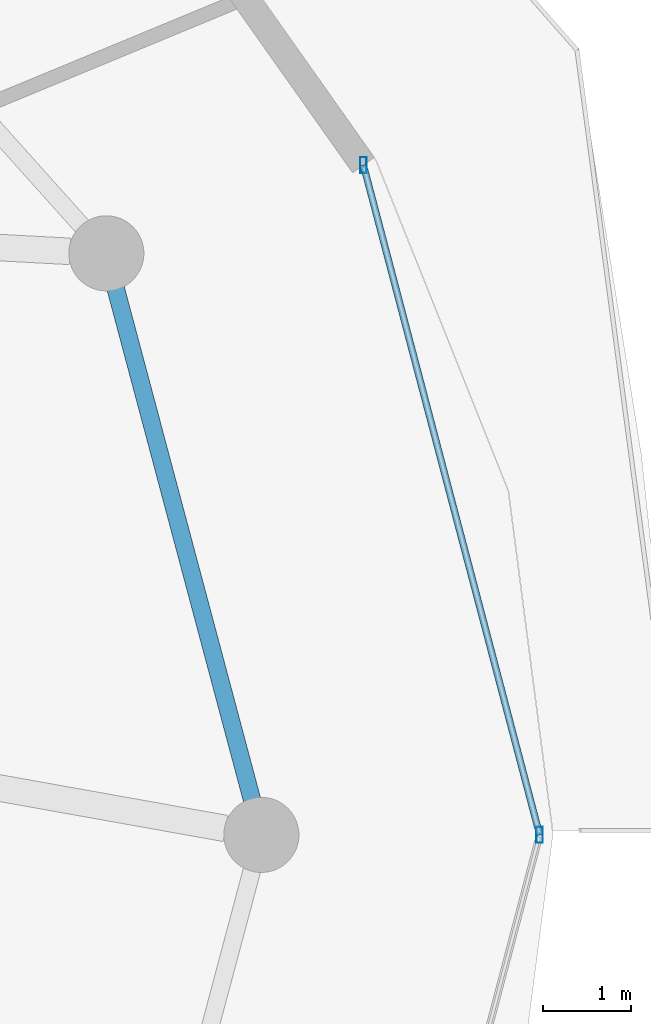
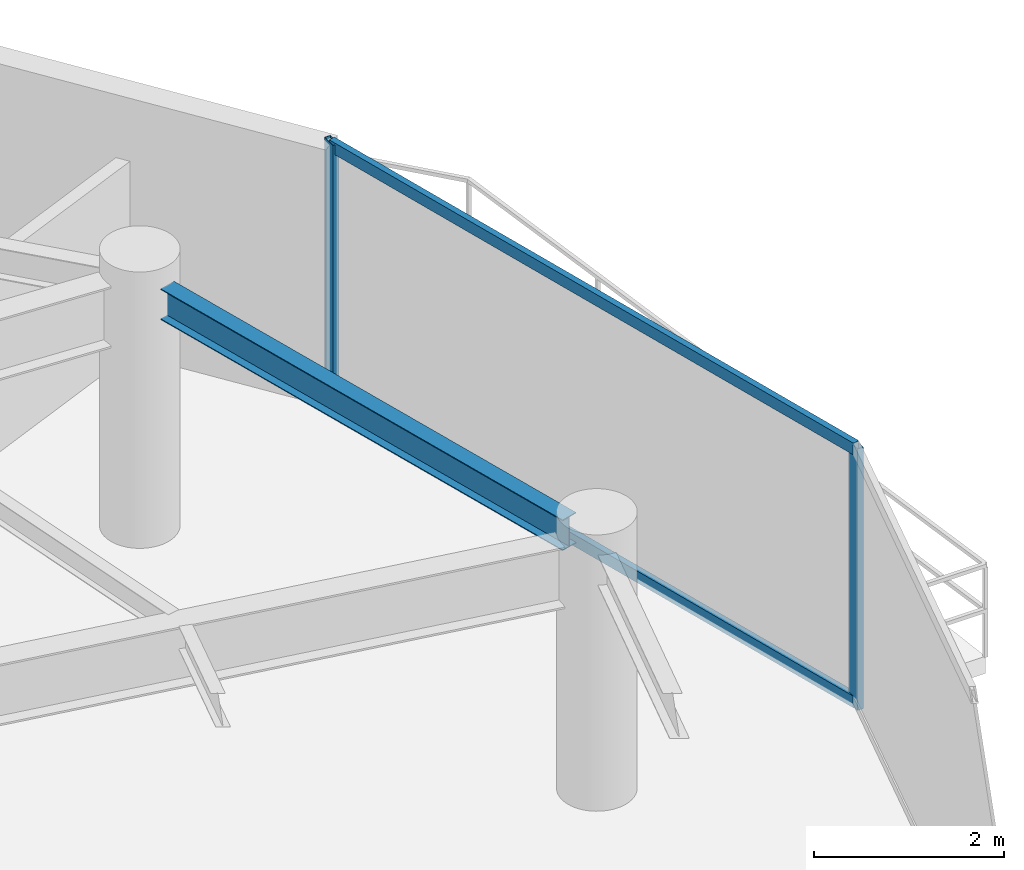
# One storey, part 15 of 31: 4 members, 1 beam, 1 element without a shape of its own.
"""IFC4 building model written with IfcOpenShell, lengths in metres."""

from ifc_helpers import new_model, si_unit, direction, frame, origin, origin_2d, place, context, subcontext, project, spatial, hollow_rectangle, i_section, extrude, material, material_profile, profile_set, type_object, element, aggregate, save


model = new_model("IFC4")

# Units and contexts
model_context = context("Model", 3, precision=1e-05, world=origin(), true_north=direction((0.0, 1.0)))
body_context = subcontext(model_context, "Body", "Model", "MODEL_VIEW")
ifc_project = project(units=[si_unit("LENGTHUNIT", "METRE"), si_unit("AREAUNIT", "SQUARE_METRE"), si_unit("VOLUMEUNIT", "CUBIC_METRE"), si_unit("PLANEANGLEUNIT", "RADIAN"), si_unit("MASSUNIT", "GRAM", prefix="KILO")], contexts=[model_context])

# Site, building, storey
site_placement = place(None, origin())
site = spatial("IfcSite", under=ifc_project, at=site_placement, CompositionType="ELEMENT")
building_placement = place(site_placement, origin())
building = spatial("IfcBuilding", under=site, at=building_placement, Name="Vorneva Point Tower", CompositionType="ELEMENT")
storey_placement = place(building_placement, frame((0.0, 0.0, 248.449951171875)))
storey = spatial("IfcBuildingStorey", under=building, at=storey_placement, Name="L67", CompositionType="ELEMENT", Elevation=248.449951171875)

# Beam
ifc_material_1 = material(Name="Steel S355", Category="steel")
ifc_material_profile_1 = material_profile(ifc_material_1, i_section(OverallWidth=0.198974609375, OverallDepth=0.39599609375, WebThickness=0.007080078125, FlangeThickness=0.010986328125, at=origin_2d()), Name="40B1")
ifc_profile_set_1 = profile_set([ifc_material_profile_1], Name="Steel S355")
beam_type = type_object("IfcBeamType", Name="BM-SPN-40B1", PredefinedType="SPANDREL", material=ifc_profile_set_1)
beam_placement = place(storey_placement, frame((60.9443359375, 26.396240234375, 3.092041015625), z_axis=(-0.257586570866, 0.966255224312, 0.0), x_axis=(-0.966255224312, -0.257586570866, 0.0)))
element("IfcBeam", 1, at=beam_placement, inside=storey, type_object=beam_type, Name="L67 Perimeter Spandrel Ring Beam 01", PredefinedType="SPANDREL", context=body_context, shape_type="SweptSolid", body=[
    extrude(i_section(OverallWidth=0.198974609375, OverallDepth=0.39599609375, WebThickness=0.007080078125, FlangeThickness=0.010986328125, at=origin_2d()), origin(), (0.0, 0.0, 1.0), 5.991943359375),
])

# Curtain wall, members
ifc_material_2 = material(Name="Pale anodised aluminium", Category="aluminium")
curtain_wall_type = type_object("IfcCurtainWallType", Name="CW-RES-SYS", PredefinedType="NOTDEFINED", material=ifc_material_2)
curtain_wall_placement = place(storey_placement, origin())
curtain_wall = element("IfcCurtainWall", 2, at=curtain_wall_placement, inside=storey, type_object=curtain_wall_type, Name="L67 Unitised Curtain Wall CW-L67-R01", PredefinedType="NOTDEFINED")
ifc_material_profile_2 = material_profile(ifc_material_2, hollow_rectangle(XDim=0.074951171875, YDim=0.179931640625, WallThickness=0.00390625, at=origin_2d()), Name="AL-MUL 180x75x4")
ifc_profile_set_2 = profile_set([ifc_material_profile_2], Name="Pale anodised aluminium")
member_type_1 = type_object("IfcMemberType", Name="CW-MUL-180", PredefinedType="MULLION", material=ifc_profile_set_2)
member_1_placement = place(storey_placement, frame((64.199951171875, 26.0, -0.0400390625), z_axis=(0.0, 0.0, 1.0), x_axis=(1.0, 0.0, 0.0)))
member_1 = element("IfcMember", 3, at=member_1_placement, type_object=member_type_1, Name="CW-L67-R01 Mullion 03", PredefinedType="MULLION", context=body_context, shape_type="SweptSolid", body=[
    extrude(hollow_rectangle(XDim=0.074951171875, YDim=0.179931640625, WallThickness=0.00390625, at=origin_2d()), origin(), (0.0, 0.0, 1.0), 3.360107421875),
])
member_2_placement = place(storey_placement, frame((62.20556640625, 33.5810546875, -0.0400390625), z_axis=(0.0, 0.0, 1.0), x_axis=(1.0, 0.0, 0.0)))
member_2 = element("IfcMember", 4, at=member_2_placement, type_object=member_type_1, Name="CW-L67-R01 Mullion 04", PredefinedType="MULLION", context=body_context, shape_type="SweptSolid", body=[
    extrude(hollow_rectangle(XDim=0.074951171875, YDim=0.179931640625, WallThickness=0.00390625, at=origin_2d()), origin(), (0.0, 0.0, 1.0), 3.360107421875),
])
ifc_material_profile_3 = material_profile(ifc_material_2, hollow_rectangle(XDim=0.074951171875, YDim=0.14990234375, WallThickness=0.00390625, at=origin_2d()), Name="AL-TRN 150x75x4")
ifc_profile_set_3 = profile_set([ifc_material_profile_3], Name="Pale anodised aluminium")
member_type_2 = type_object("IfcMemberType", Name="CW-TRN-150", PredefinedType="USERDEFINED", material=ifc_profile_set_3)
member_3_placement = place(storey_placement, frame((64.199951171875, 26.0, 0.02001953125), z_axis=(-0.254418180926, 0.967094302131, 0.0), x_axis=(-0.967094302131, -0.254418180926, 0.0)))
member_3 = element("IfcMember", 5, at=member_3_placement, type_object=member_type_2, Name="CW-L67-R01 Transom 03.1", ObjectType="TRANSOM", PredefinedType="USERDEFINED", context=body_context, shape_type="SweptSolid", body=[
    extrude(hollow_rectangle(XDim=0.074951171875, YDim=0.14990234375, WallThickness=0.00390625, at=origin_2d()), origin(), (0.0, 0.0, 1.0), 7.839111328125),
])
member_4_placement = place(storey_placement, frame((64.199951171875, 26.0, 3.27001953125), z_axis=(-0.254418180926, 0.967094302131, 0.0), x_axis=(-0.967094302131, -0.254418180926, 0.0)))
member_4 = element("IfcMember", 6, at=member_4_placement, type_object=member_type_2, Name="CW-L67-R01 Transom 03.2", ObjectType="TRANSOM", PredefinedType="USERDEFINED", context=body_context, shape_type="SweptSolid", body=[
    extrude(hollow_rectangle(XDim=0.074951171875, YDim=0.14990234375, WallThickness=0.00390625, at=origin_2d()), origin(), (0.0, 0.0, 1.0), 7.839111328125),
])
aggregate(curtain_wall, [member_1, member_2, member_3, member_4])

save(model, "model.ifc")
